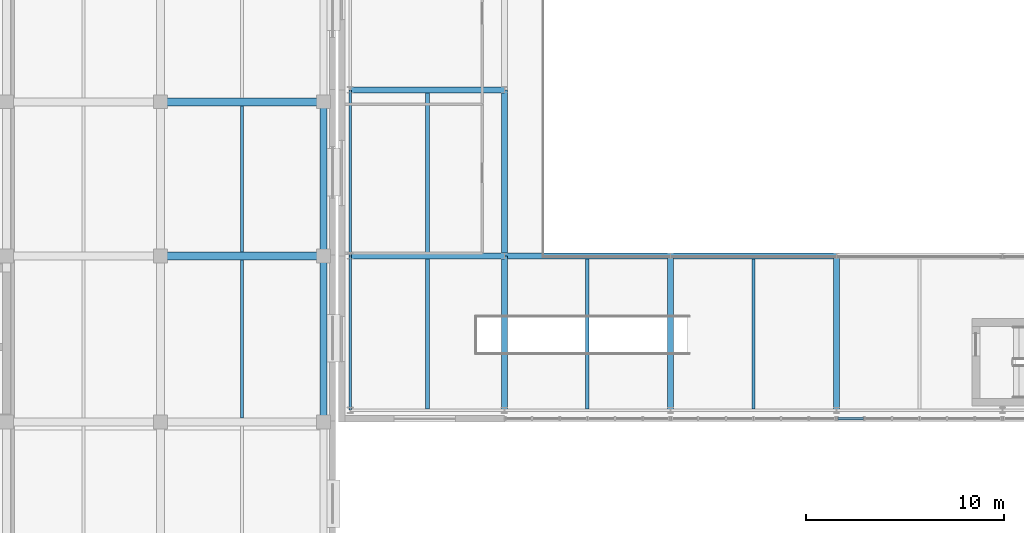
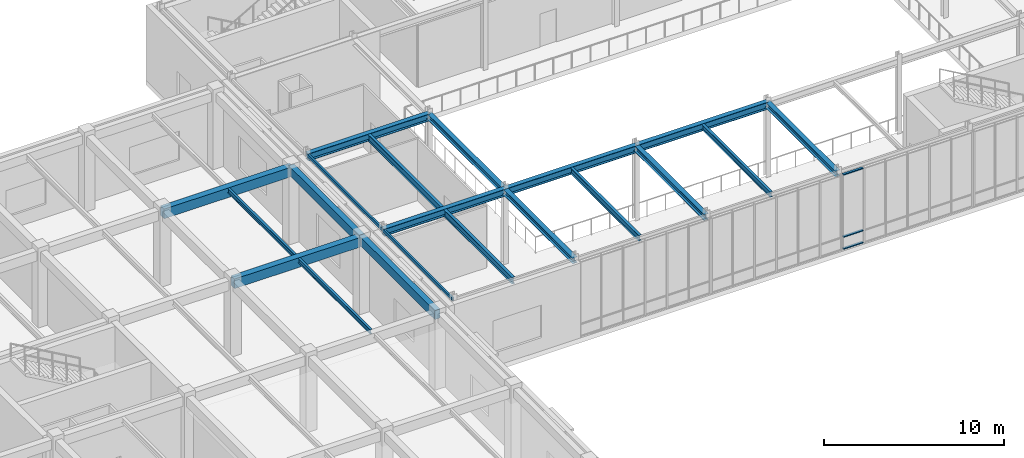
# One storey, part 84 of 139: 20 beams, 3 members, 1 element without a shape of its own.
"""IFC4 building model written with IfcOpenShell, lengths in metres."""

from ifc_helpers import new_model, si_unit, direction, frame, origin, origin_2d, place, context, subcontext, project, spatial, rectangle, hollow_rectangle, i_section, extrude, material, layer, layer_set, material_profile, profile_set, type_object, element, aggregate, save


model = new_model("IFC4")

# Units and contexts
model_context = context("Model", 3, precision=1e-05, world=origin(), true_north=direction((0.0, 1.0)))
body_context = subcontext(model_context, "Body", "Model", "MODEL_VIEW")
ifc_project = project(units=[si_unit("LENGTHUNIT", "METRE"), si_unit("AREAUNIT", "SQUARE_METRE"), si_unit("VOLUMEUNIT", "CUBIC_METRE"), si_unit("PLANEANGLEUNIT", "RADIAN"), si_unit("MASSUNIT", "GRAM", prefix="KILO")], contexts=[model_context])

# Site, building, storey
site_placement = place(None, origin())
site = spatial("IfcSite", under=ifc_project, at=site_placement, CompositionType="ELEMENT")
building_placement = place(site_placement, origin())
building = spatial("IfcBuilding", under=site, at=building_placement, Name="Zayran Congress Hotel", CompositionType="ELEMENT")
storey_placement = place(building_placement, frame((0.0, 0.0, 5.39990234375)))
storey = spatial("IfcBuildingStorey", under=building, at=storey_placement, Name="L01", CompositionType="ELEMENT", Elevation=5.39990234375)

# Beams
ifc_material_1 = material(Name="Concrete C40/50", Category="concrete")
ifc_material_profile_1 = material_profile(ifc_material_1, rectangle(XDim=0.39990234375, YDim=0.64990234375, at=origin_2d()), Name="RC 400x650")
ifc_profile_set_1 = profile_set([ifc_material_profile_1], Name="Concrete C40/50")
beam_type_1 = type_object("IfcBeamType", Name="TP-BM-03", PredefinedType="BEAM", material=ifc_profile_set_1)
for number, where, z_axis, x_axis, name in (
    (1, (133.800048828125, 92.800048828125, 4.775146484375), (1.0, 0.0, 0.0), (0.0, 1.0, 0.0), "BM-V4-L01-1335"),
    (2, (133.800048828125, 100.60009765625, 4.775146484375), (1.0, 0.0, 0.0), (0.0, 1.0, 0.0), "BM-V4-L01-1339"),
):
    element("IfcBeam", number, at=place(storey_placement, frame(where, z_axis=z_axis, x_axis=x_axis)), inside=storey, type_object=beam_type_1, Name=name, PredefinedType="BEAM", context=body_context, shape_type="SweptSolid", body=[
        extrude(rectangle(XDim=0.39990234375, YDim=0.64990234375, at=origin_2d()), origin(), (0.0, 0.0, 1.0), 8.25),
    ])
ifc_material_profile_2 = material_profile(ifc_material_1, rectangle(XDim=0.35009765625, YDim=0.60009765625, at=origin_2d()), Name="RC 350x600")
ifc_profile_set_2 = profile_set([ifc_material_profile_2], Name="Concrete C40/50")
beam_type_2 = type_object("IfcBeamType", Name="TP-SP-01", PredefinedType="SPANDREL", material=ifc_profile_set_2)
beam_1_placement = place(storey_placement, frame((142.050048828125, 84.39990234375, 4.800048828125), z_axis=(0.0, 1.0, 0.0), x_axis=(-1.0, 0.0, 0.0)))
element("IfcBeam", 3, at=beam_1_placement, inside=storey, type_object=beam_type_2, Name="BM-V4-L01-1379", PredefinedType="SPANDREL", context=body_context, shape_type="SweptSolid", body=[
    extrude(rectangle(XDim=0.35009765625, YDim=0.60009765625, at=origin_2d()), origin(), (0.0, 0.0, 1.0), 8.400146484375),
])
beam_2_placement = place(storey_placement, frame((142.050048828125, 92.800048828125, 4.800048828125), z_axis=(0.0, 1.0, 0.0), x_axis=(-1.0, 0.0, 0.0)))
element("IfcBeam", 4, at=beam_2_placement, inside=storey, type_object=beam_type_2, Name="BM-V4-L01-1380", PredefinedType="SPANDREL", context=body_context, shape_type="SweptSolid", body=[
    extrude(rectangle(XDim=0.35009765625, YDim=0.60009765625, at=origin_2d()), origin(), (0.0, 0.0, 1.0), 7.800048828125),
])
ifc_material_2 = material(Name="Steel S355", Category="steel")
ifc_material_profile_3 = material_profile(ifc_material_2, i_section(OverallWidth=0.300048828125, OverallDepth=0.489990234375, WebThickness=0.011962890625, FlangeThickness=0.02294921875, at=origin_2d()), Name="HEA 500")
ifc_profile_set_3 = profile_set([ifc_material_profile_3], Name="Steel S355")
beam_type_3 = type_object("IfcBeamType", Name="TP-BM-05", PredefinedType="BEAM", material=ifc_profile_set_3)
beam_3_placement = place(storey_placement, frame((143.39990234375, 92.800048828125, 4.835205078125), z_axis=(1.0, 0.0, 0.0), x_axis=(0.0, 1.0, 0.0)))
element("IfcBeam", 5, at=beam_3_placement, inside=storey, type_object=beam_type_3, Name="BM-V2-L01-0959", PredefinedType="BEAM", context=body_context, shape_type="SweptSolid", body=[
    extrude(i_section(OverallWidth=0.300048828125, OverallDepth=0.489990234375, WebThickness=0.011962890625, FlangeThickness=0.02294921875, at=origin_2d()), origin(), (0.0, 0.0, 1.0), 7.800048828125),
])
beam_4_placement = place(storey_placement, frame((151.199951171875, 92.800048828125, 4.835205078125), z_axis=(1.0, 0.0, 0.0), x_axis=(0.0, 1.0, 0.0)))
element("IfcBeam", 6, at=beam_4_placement, inside=storey, type_object=beam_type_3, Name="BM-V2-L01-0960", PredefinedType="BEAM", context=body_context, shape_type="SweptSolid", body=[
    extrude(i_section(OverallWidth=0.300048828125, OverallDepth=0.489990234375, WebThickness=0.011962890625, FlangeThickness=0.02294921875, at=origin_2d()), origin(), (0.0, 0.0, 1.0), 8.400146484375),
])
beam_5_placement = place(storey_placement, frame((159.60009765625, 92.800048828125, 4.835205078125), z_axis=(1.0, 0.0, 0.0), x_axis=(0.0, 1.0, 0.0)))
element("IfcBeam", 7, at=beam_5_placement, inside=storey, type_object=beam_type_3, Name="BM-V2-L01-0961", PredefinedType="BEAM", context=body_context, shape_type="SweptSolid", body=[
    extrude(i_section(OverallWidth=0.300048828125, OverallDepth=0.489990234375, WebThickness=0.011962890625, FlangeThickness=0.02294921875, at=origin_2d()), origin(), (0.0, 0.0, 1.0), 8.39990234375),
])
beam_6_placement = place(storey_placement, frame((143.39990234375, 101.199951171875, 4.835205078125), z_axis=(1.0, 0.0, 0.0), x_axis=(0.0, 1.0, 0.0)))
element("IfcBeam", 8, at=beam_6_placement, inside=storey, type_object=beam_type_3, Name="BM-V2-L01-0965", PredefinedType="BEAM", context=body_context, shape_type="SweptSolid", body=[
    extrude(i_section(OverallWidth=0.300048828125, OverallDepth=0.489990234375, WebThickness=0.011962890625, FlangeThickness=0.02294921875, at=origin_2d()), origin(), (0.0, 0.0, 1.0), 7.800048828125),
])
ifc_material_profile_4 = material_profile(ifc_material_2, i_section(OverallWidth=0.300048828125, OverallDepth=0.389892578125, WebThickness=0.010986328125, FlangeThickness=0.01904296875, at=origin_2d()), Name="HEA 400")
ifc_profile_set_4 = profile_set([ifc_material_profile_4], Name="Steel S355")
beam_type_4 = type_object("IfcBeamType", Name="TP-BM-06", PredefinedType="BEAM", material=ifc_profile_set_4)
beam_7_placement = place(storey_placement, frame((151.199951171875, 85.0, 4.885009765625), z_axis=(0.0, 1.0, 0.0), x_axis=(-1.0, 0.0, 0.0)))
element("IfcBeam", 9, at=beam_7_placement, inside=storey, type_object=beam_type_4, Name="BM-V2-L01-0983", PredefinedType="BEAM", context=body_context, shape_type="SweptSolid", body=[
    extrude(i_section(OverallWidth=0.300048828125, OverallDepth=0.389892578125, WebThickness=0.010986328125, FlangeThickness=0.01904296875, at=origin_2d()), origin(), (0.0, 0.0, 1.0), 7.800048828125),
])
beam_8_placement = place(storey_placement, frame((151.199951171875, 92.800048828125, 4.885009765625), z_axis=(0.0, 1.0, 0.0), x_axis=(-1.0, 0.0, 0.0)))
element("IfcBeam", 10, at=beam_8_placement, inside=storey, type_object=beam_type_4, Name="BM-V2-L01-0984", PredefinedType="BEAM", context=body_context, shape_type="SweptSolid", body=[
    extrude(i_section(OverallWidth=0.300048828125, OverallDepth=0.389892578125, WebThickness=0.010986328125, FlangeThickness=0.01904296875, at=origin_2d()), origin(), (0.0, 0.0, 1.0), 8.39990234375),
])
for number, where, z_axis, x_axis, name in (
    (11, (159.60009765625, 85.0, 4.885009765625), (0.0, 1.0, 0.0), (-1.0, 0.0, 0.0), "BM-V2-L01-0986"),
    (12, (168.0, 85.0, 4.885009765625), (0.0, 1.0, 0.0), (-1.0, 0.0, 0.0), "BM-V2-L01-0988"),
):
    element("IfcBeam", number, at=place(storey_placement, frame(where, z_axis=z_axis, x_axis=x_axis)), inside=storey, type_object=beam_type_4, Name=name, PredefinedType="BEAM", context=body_context, shape_type="SweptSolid", body=[
        extrude(i_section(OverallWidth=0.300048828125, OverallDepth=0.389892578125, WebThickness=0.010986328125, FlangeThickness=0.01904296875, at=origin_2d()), origin(), (0.0, 0.0, 1.0), 7.800048828125),
    ])
ifc_material_profile_5 = material_profile(ifc_material_2, i_section(OverallWidth=0.18994140625, OverallDepth=0.449951171875, WebThickness=0.009521484375, FlangeThickness=0.0146484375, at=origin_2d()), Name="IPE 450")
ifc_profile_set_5 = profile_set([ifc_material_profile_5], Name="Steel S355")
beam_type_5 = type_object("IfcBeamType", Name="TP-JS-02", PredefinedType="JOIST", material=ifc_profile_set_5)
beam_9_placement = place(storey_placement, frame((147.300048828125, 85.06005859375, 4.85498046875), z_axis=(0.0, 1.0, 0.0), x_axis=(-1.0, 0.0, 0.0)))
element("IfcBeam", 13, at=beam_9_placement, inside=storey, type_object=beam_type_5, Name="JST-V2-L01-0999", PredefinedType="JOIST", context=body_context, shape_type="SweptSolid", body=[
    extrude(i_section(OverallWidth=0.18994140625, OverallDepth=0.449951171875, WebThickness=0.009521484375, FlangeThickness=0.0146484375, at=origin_2d()), origin(), (0.0, 0.0, 1.0), 7.58984375),
])
beam_10_placement = place(storey_placement, frame((147.300048828125, 92.949951171875, 4.85498046875), z_axis=(0.0, 1.0, 0.0), x_axis=(-1.0, 0.0, 0.0)))
element("IfcBeam", 14, at=beam_10_placement, inside=storey, type_object=beam_type_5, Name="JST-V2-L01-1000", PredefinedType="JOIST", context=body_context, shape_type="SweptSolid", body=[
    extrude(i_section(OverallWidth=0.18994140625, OverallDepth=0.449951171875, WebThickness=0.009521484375, FlangeThickness=0.0146484375, at=origin_2d()), origin(), (0.0, 0.0, 1.0), 8.10009765625),
])
ifc_material_profile_6 = material_profile(ifc_material_2, i_section(OverallWidth=0.179931640625, OverallDepth=0.39990234375, WebThickness=0.008544921875, FlangeThickness=0.013427734375, at=origin_2d()), Name="IPE 400")
ifc_profile_set_6 = profile_set([ifc_material_profile_6], Name="Steel S355")
beam_type_6 = type_object("IfcBeamType", Name="TP-JS-03", PredefinedType="JOIST", material=ifc_profile_set_6)
beam_11_placement = place(storey_placement, frame((155.39990234375, 85.06005859375, 4.880126953125), z_axis=(0.0, 1.0, 0.0), x_axis=(-1.0, 0.0, 0.0)))
element("IfcBeam", 15, at=beam_11_placement, inside=storey, type_object=beam_type_6, Name="JST-V2-L01-1002", PredefinedType="JOIST", context=body_context, shape_type="SweptSolid", body=[
    extrude(i_section(OverallWidth=0.179931640625, OverallDepth=0.39990234375, WebThickness=0.008544921875, FlangeThickness=0.013427734375, at=origin_2d()), origin(), (0.0, 0.0, 1.0), 7.58984375),
])
ifc_material_profile_7 = material_profile(ifc_material_2, i_section(OverallWidth=0.169921875, OverallDepth=0.360107421875, WebThickness=0.008056640625, FlangeThickness=0.0126953125, at=origin_2d()), Name="IPE 360")
ifc_profile_set_7 = profile_set([ifc_material_profile_7], Name="Steel S355")
beam_type_7 = type_object("IfcBeamType", Name="TP-JS-04", PredefinedType="JOIST", material=ifc_profile_set_7)
beam_12_placement = place(storey_placement, frame((163.800048828125, 85.06005859375, 4.900146484375), z_axis=(0.0, 1.0, 0.0), x_axis=(-1.0, 0.0, 0.0)))
element("IfcBeam", 16, at=beam_12_placement, inside=storey, type_object=beam_type_7, Name="JST-V2-L01-1004", PredefinedType="JOIST", context=body_context, shape_type="SweptSolid", body=[
    extrude(i_section(OverallWidth=0.169921875, OverallDepth=0.360107421875, WebThickness=0.008056640625, FlangeThickness=0.0126953125, at=origin_2d()), origin(), (0.0, 0.0, 1.0), 7.58984375),
])
ifc_material_profile_8 = material_profile(ifc_material_2, i_section(OverallWidth=0.14990234375, OverallDepth=0.300048828125, WebThickness=0.007080078125, FlangeThickness=0.0107421875, at=origin_2d()), Name="IPE 300")
ifc_profile_set_8 = profile_set([ifc_material_profile_8], Name="Steel S355")
beam_type_8 = type_object("IfcBeamType", Name="TP-JS-05", PredefinedType="JOIST", material=ifc_profile_set_8)
beam_13_placement = place(storey_placement, frame((137.925048828125, 84.60009765625, 4.9501953125), z_axis=(0.0, 1.0, 0.0), x_axis=(-1.0, 0.0, 0.0)))
element("IfcBeam", 17, at=beam_13_placement, inside=storey, type_object=beam_type_8, Name="JST-V4-L01-1409", PredefinedType="JOIST", context=body_context, shape_type="SweptSolid", body=[
    extrude(i_section(OverallWidth=0.14990234375, OverallDepth=0.300048828125, WebThickness=0.007080078125, FlangeThickness=0.0107421875, at=origin_2d()), origin(), (0.0, 0.0, 1.0), 8.0),
])
beam_14_placement = place(storey_placement, frame((137.925048828125, 93.0, 4.9501953125), z_axis=(0.0, 1.0, 0.0), x_axis=(-1.0, 0.0, 0.0)))
element("IfcBeam", 18, at=beam_14_placement, inside=storey, type_object=beam_type_8, Name="JST-V4-L01-1410", PredefinedType="JOIST", context=body_context, shape_type="SweptSolid", body=[
    extrude(i_section(OverallWidth=0.14990234375, OverallDepth=0.300048828125, WebThickness=0.007080078125, FlangeThickness=0.0107421875, at=origin_2d()), origin(), (0.0, 0.0, 1.0), 7.39990234375),
])
ifc_material_profile_9 = material_profile(ifc_material_2, hollow_rectangle(XDim=0.1201171875, YDim=0.199951171875, WallThickness=0.008056640625, at=origin_2d()), Name="RHS 200x120x8")
ifc_profile_set_9 = profile_set([ifc_material_profile_9], Name="Steel S355")
beam_type_9 = type_object("IfcBeamType", Name="TP-SP-02", PredefinedType="SPANDREL", material=ifc_profile_set_9)
beam_15_placement = place(storey_placement, frame((143.39990234375, 85.0, 4.97998046875), z_axis=(0.0, 1.0, 0.0), x_axis=(-1.0, 0.0, 0.0)))
element("IfcBeam", 19, at=beam_15_placement, inside=storey, type_object=beam_type_9, Name="BM-V2-L01-0979", PredefinedType="SPANDREL", context=body_context, shape_type="SweptSolid", body=[
    extrude(hollow_rectangle(XDim=0.1201171875, YDim=0.199951171875, WallThickness=0.008056640625, at=origin_2d()), origin(), (0.0, 0.0, 1.0), 7.800048828125),
])
beam_16_placement = place(storey_placement, frame((143.39990234375, 92.800048828125, 4.97998046875), z_axis=(0.0, 1.0, 0.0), x_axis=(-1.0, 0.0, 0.0)))
element("IfcBeam", 20, at=beam_16_placement, inside=storey, type_object=beam_type_9, Name="BM-V2-L01-0980", PredefinedType="SPANDREL", context=body_context, shape_type="SweptSolid", body=[
    extrude(hollow_rectangle(XDim=0.1201171875, YDim=0.199951171875, WallThickness=0.008056640625, at=origin_2d()), origin(), (0.0, 0.0, 1.0), 8.39990234375),
])

# Curtain wall, members
ifc_material_3 = material(Name="Anodised aluminium and low-E insulated glass", Category="aluminium")
ifc_layer = layer(ifc_material_3, 0.179931640625)
ifc_layer_set = layer_set([ifc_layer], Name="Anodised aluminium and low-E insulated glass")
curtain_wall_type = type_object("IfcCurtainWallType", Name="CW-V2S-L01-CW-V22-8390-5080", PredefinedType="USERDEFINED", material=ifc_layer_set)
curtain_wall_placement = place(storey_placement, origin())
curtain_wall = element("IfcCurtainWall", 21, at=curtain_wall_placement, inside=storey, type_object=curtain_wall_type, Name="CW-V2S-L01-3", ObjectType="CURTAIN WALL", PredefinedType="USERDEFINED")
ifc_material_4 = material(Name="Anodised aluminium framing", Category="aluminium")
ifc_material_profile_10 = material_profile(ifc_material_4, hollow_rectangle(XDim=0.06005859375, YDim=0.14990234375, WallThickness=0.00390625, at=origin_2d()), Name="RHS 150x60x4")
ifc_profile_set_10 = profile_set([ifc_material_profile_10], Name="Anodised aluminium framing")
member_type = type_object("IfcMemberType", Name="TP-CWT-01", PredefinedType="USERDEFINED", material=ifc_profile_set_10)
member_1_placement = place(storey_placement, frame((168.0849609375, 84.570068359375, 0.030029296875), z_axis=(1.0, 0.0, 0.0), x_axis=(0.0, 0.0, 1.0)))
member_1 = element("IfcMember", 22, at=member_1_placement, type_object=member_type, Name="CW-V2S-L01-3-T00-0", ObjectType="TRANSOM", PredefinedType="USERDEFINED", context=body_context, shape_type="SweptSolid", body=[
    extrude(hollow_rectangle(XDim=0.06005859375, YDim=0.14990234375, WallThickness=0.00390625, at=origin_2d()), origin(), (0.0, 0.0, 1.0), 1.2783203125),
])
member_2_placement = place(storey_placement, frame((168.0849609375, 84.570068359375, 0.840087890625), z_axis=(1.0, 0.0, 0.0), x_axis=(0.0, 0.0, 1.0)))
member_2 = element("IfcMember", 23, at=member_2_placement, type_object=member_type, Name="CW-V2S-L01-3-T00-1", ObjectType="TRANSOM", PredefinedType="USERDEFINED", context=body_context, shape_type="SweptSolid", body=[
    extrude(hollow_rectangle(XDim=0.06005859375, YDim=0.14990234375, WallThickness=0.00390625, at=origin_2d()), origin(), (0.0, 0.0, 1.0), 1.2783203125),
])
member_3_placement = place(storey_placement, frame((168.0849609375, 84.570068359375, 5.050048828125), z_axis=(1.0, 0.0, 0.0), x_axis=(0.0, 0.0, 1.0)))
member_3 = element("IfcMember", 24, at=member_3_placement, type_object=member_type, Name="CW-V2S-L01-3-T00-2", ObjectType="TRANSOM", PredefinedType="USERDEFINED", context=body_context, shape_type="SweptSolid", body=[
    extrude(hollow_rectangle(XDim=0.06005859375, YDim=0.14990234375, WallThickness=0.00390625, at=origin_2d()), origin(), (0.0, 0.0, 1.0), 1.2783203125),
])
aggregate(curtain_wall, [member_1, member_2, member_3])

save(model, "model.ifc")
